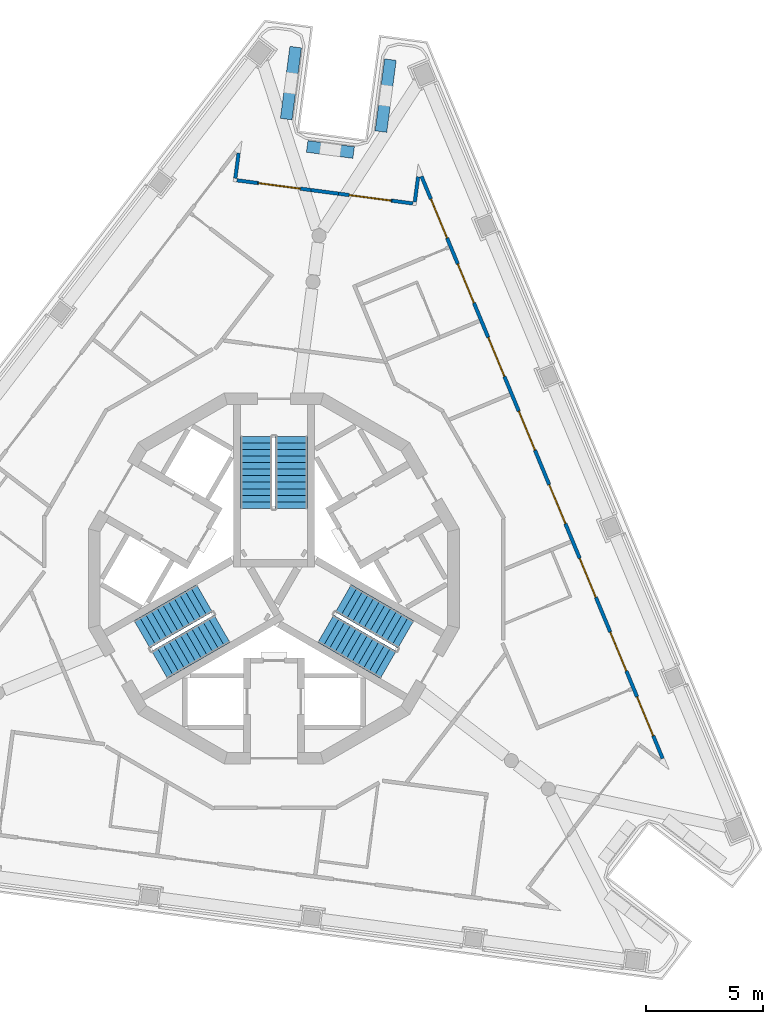
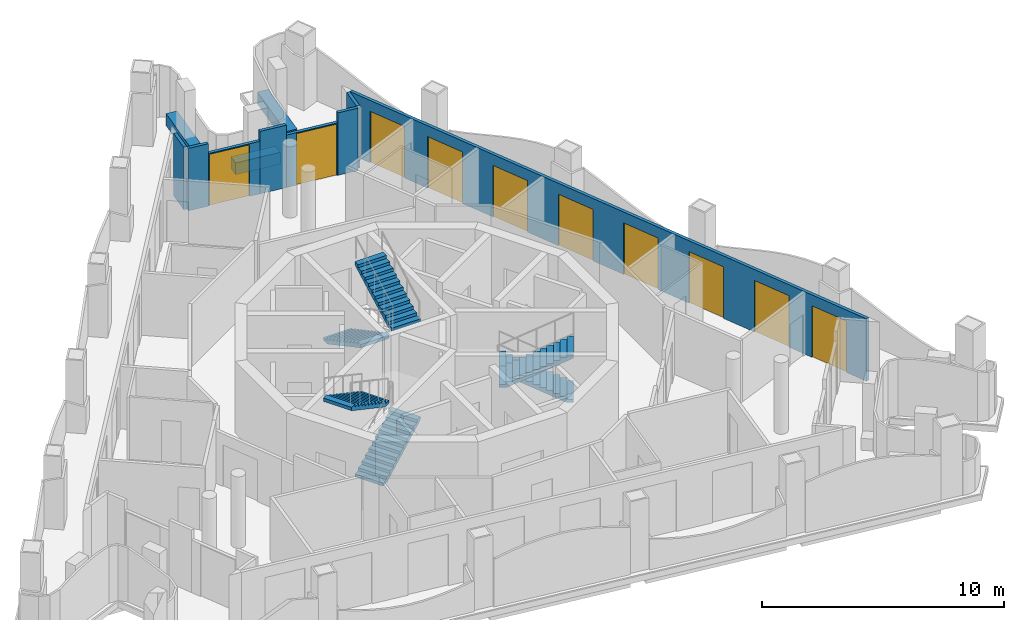
# One storey, part 6 of 12: 11 walls, 10 doors, 6 stair flights, 10 openings, 3 elements without a shape of their own.
"""IFC4 building model written with IfcOpenShell, lengths in metres."""

from ifc_helpers import new_model, si_unit, direction, frame, frame_2d, origin, place, context, subcontext, project, spatial, polyline, rectangle, outline, extrude, material, layer, layer_set, type_object, element, fill, aggregate, save


model = new_model("IFC4")

# Units and contexts
model_context = context("Model", 3, precision=1e-05, world=origin(), true_north=direction((0.0, 1.0)))
body_context = subcontext(model_context, "Body", "Model", "MODEL_VIEW")
ifc_project = project(units=[si_unit("LENGTHUNIT", "METRE"), si_unit("AREAUNIT", "SQUARE_METRE"), si_unit("VOLUMEUNIT", "CUBIC_METRE"), si_unit("PLANEANGLEUNIT", "RADIAN"), si_unit("MASSUNIT", "GRAM", prefix="KILO")], contexts=[model_context])

# Site, building, storey
site_placement = place(None, origin())
site = spatial("IfcSite", under=ifc_project, at=site_placement, CompositionType="ELEMENT")
building_placement = place(site_placement, origin())
building = spatial("IfcBuilding", under=site, at=building_placement, Name="Trine Commons Tower", CompositionType="ELEMENT")
storey_placement = place(building_placement, frame((0.0, 0.0, 297.0)))
storey = spatial("IfcBuildingStorey", under=building, at=storey_placement, Name="L78", CompositionType="ELEMENT", Elevation=297.0)

# Walls
ifc_material_1 = material(Name="Aluminium-framed insulated wall panel", Category="aluminium")
ifc_layer_1 = layer(ifc_material_1, 0.14990234375)
ifc_layer_set_1 = layer_set([ifc_layer_1], Name="Aluminium-framed insulated wall panel")
wall_type_1 = type_object("IfcWallType", Name="Glazed frame wall 150, EI 60", PredefinedType="SOLIDWALL", material=ifc_layer_set_1)
wall_1_placement = place(storey_placement, frame((78.51220703125, 80.81005859375, 0.0), z_axis=(0.0, 0.0, 1.0), x_axis=(-0.130510858064, -0.991446880033, 0.0)))
element("IfcWall", 1, at=wall_1_placement, inside=storey, type_object=wall_type_1, Name="Glazed frame wall R2", PredefinedType="SOLIDWALL", context=body_context, shape_type="SweptSolid", body=[
    extrude(outline(polyline([(0.1494140625, 0.074951171875), (0.1494140625, -0.074951171875), (1.235107421875, -0.074951171875), (1.235107421875, 0.074951171875), (0.1494140625, 0.074951171875)])), origin(), (0.0, 0.0, 1.0), 3.14990234375),
])
wall_2_placement = place(storey_placement, frame((78.306396484375, 79.515869140625, 0.0), z_axis=(0.0, 0.0, 1.0), x_axis=(0.991437672373, -0.130580786489, 0.0)))
element("IfcWall", 2, at=wall_2_placement, inside=storey, type_object=wall_type_1, Name="Glazed frame wall P1.1", PredefinedType="SOLIDWALL", context=body_context, shape_type="SweptSolid", body=[
    extrude(outline(polyline([(0.110107421875, -0.074951171875), (1.0, -0.074951171875), (1.0, 0.074951171875), (0.110107421875, 0.074951171875), (0.110107421875, -0.074951171875)])), origin(), (0.0, 0.0, 1.0), 3.14990234375),
])

# Wall, opening, door
wall_3_placement = place(storey_placement, frame((79.298095703125, 79.38525390625, 0.0), z_axis=(0.0, 0.0, 1.0), x_axis=(0.991435223914, -0.130599375121, 0.0)))
wall_3 = element("IfcWall", 3, at=wall_3_placement, inside=storey, type_object=wall_type_1, Name="Glazed frame wall P1.2", PredefinedType="SOLIDWALL", context=body_context, shape_type="SweptSolid", body=[
    extrude(outline(polyline([(0.0, -0.074951171875), (2.310791015625, -0.074951171875), (2.310791015625, 0.074951171875), (0.0, 0.074951171875), (0.0, -0.074951171875)])), origin(), (0.0, 0.0, 1.0), 2.64990234375),
])
opening_1_placement = place(wall_3_placement, frame((0.050048828125, 0.0, 0.0)))
opening_1 = element("IfcOpeningElement", 4, at=opening_1_placement, cuts=wall_3, Name="Opening BD-8P1-01", PredefinedType="OPENING", context=body_context, shape_type="SweptSolid", body=[
    extrude(rectangle(XDim=1.800048828125, YDim=2.60009765625, at=frame_2d((0.89990234375, 1.300048828125))), frame((0.0, 0.0849609375, 0.0), z_axis=(0.0, -1.0, 0.0), x_axis=(1.0, 0.0, 0.0)), (0.0, 0.0, 1.0), 0.169921875),
])
ifc_material_2 = material(Name="Anodised aluminium frame with double glazing", Category="aluminium")
door_type = type_object("IfcDoorType", Name="Sliding loggia door 1800x2600", OperationType="SLIDING_TO_LEFT", PredefinedType="DOOR", material=ifc_material_2)
door_1_placement = place(opening_1_placement, origin())
door_1 = element("IfcDoor", 5, at=door_1_placement, inside=storey, type_object=door_type, Name="Loggia door P1 1", OperationType="SLIDING_TO_LEFT", OverallHeight=2.60009765625, OverallWidth=1.800048828125, PredefinedType="DOOR", context=body_context, shape_type="SweptSolid", body=[
    extrude(rectangle(XDim=1.800048828125, YDim=2.60009765625, at=frame_2d((0.89990234375, 1.300048828125))), frame((0.0, 0.02490234375, 0.0), z_axis=(0.0, -1.0, 0.0), x_axis=(1.0, 0.0, 0.0)), (0.0, 0.0, 1.0), 0.050048828125),
])
fill(opening_1, door_1)

# Wall
wall_4_placement = place(storey_placement, frame((81.5888671875, 79.08349609375, 0.0), z_axis=(0.0, 0.0, 1.0), x_axis=(0.991447243185, -0.130508099291, 0.0)))
element("IfcWall", 6, at=wall_4_placement, inside=storey, type_object=wall_type_1, Name="Glazed frame wall P1.3", PredefinedType="SOLIDWALL", context=body_context, shape_type="SweptSolid", body=[
    extrude(outline(polyline([(0.0, -0.074951171875), (1.1787109375, -0.074951171875), (1.1787109375, 0.074951171875), (0.0, 0.074951171875), (0.0, -0.074951171875)])), origin(), (0.0, 0.0, 1.0), 3.14990234375),
])

# Wall, opening, door
wall_5_placement = place(storey_placement, frame((82.75732421875, 78.9296875, 0.0), z_axis=(0.0, 0.0, 1.0), x_axis=(0.991450699069, -0.130481842855, 0.0)))
wall_5 = element("IfcWall", 7, at=wall_5_placement, inside=storey, type_object=wall_type_1, Name="Glazed frame wall P1.4", PredefinedType="SOLIDWALL", context=body_context, shape_type="SweptSolid", body=[
    extrude(outline(polyline([(0.0, -0.074951171875), (2.310791015625, -0.074951171875), (2.310791015625, 0.074951171875), (0.0, 0.074951171875), (0.0, -0.074951171875)])), origin(), (0.0, 0.0, 1.0), 2.64990234375),
])
opening_2_placement = place(wall_5_placement, frame((0.460693359375, 0.0, 0.0)))
opening_2 = element("IfcOpeningElement", 8, at=opening_2_placement, cuts=wall_5, Name="Opening BD-8P1-02", PredefinedType="OPENING", context=body_context, shape_type="SweptSolid", body=[
    extrude(rectangle(XDim=1.800048828125, YDim=2.60009765625, at=frame_2d((0.89990234375, 1.300048828125))), frame((0.0, 0.0849609375, 0.0), z_axis=(0.0, -1.0, 0.0), x_axis=(1.0, 0.0, 0.0)), (0.0, 0.0, 1.0), 0.169921875),
])
door_2_placement = place(opening_2_placement, origin())
door_2 = element("IfcDoor", 9, at=door_2_placement, inside=storey, type_object=door_type, Name="Loggia door P1 2", OperationType="SLIDING_TO_LEFT", OverallHeight=2.60009765625, OverallWidth=1.800048828125, PredefinedType="DOOR", context=body_context, shape_type="SweptSolid", body=[
    extrude(rectangle(XDim=1.800048828125, YDim=2.60009765625, at=frame_2d((0.89990234375, 1.300048828125))), frame((0.0, 0.02490234375, 0.0), z_axis=(0.0, -1.0, 0.0), x_axis=(1.0, 0.0, 0.0)), (0.0, 0.0, 1.0), 0.050048828125),
])
fill(opening_2, door_2)

# Walls
wall_6_placement = place(storey_placement, frame((85.04833984375, 78.628173828125, 0.0), z_axis=(0.0, 0.0, 1.0), x_axis=(0.991465094935, -0.130372410907, 0.0)))
element("IfcWall", 10, at=wall_6_placement, inside=storey, type_object=wall_type_1, Name="Glazed frame wall P1.5", PredefinedType="SOLIDWALL", context=body_context, shape_type="SweptSolid", body=[
    extrude(outline(polyline([(0.889892578125, 0.074951171875), (0.0, 0.074951171875), (0.0, -0.074951171875), (0.889892578125, -0.074951171875), (0.889892578125, 0.074951171875)])), origin(), (0.0, 0.0, 1.0), 3.14990234375),
])
wall_7_placement = place(storey_placement, frame((86.00048828125, 78.467529296875, 0.0), z_axis=(0.0, 0.0, 1.0), x_axis=(0.130510858064, 0.991446880033, 0.0)))
element("IfcWall", 11, at=wall_7_placement, inside=storey, type_object=wall_type_1, Name="Glazed frame wall R4", PredefinedType="SOLIDWALL", context=body_context, shape_type="SweptSolid", body=[
    extrude(outline(polyline([(0.110107421875, 0.074951171875), (0.110107421875, -0.074951171875), (1.19580078125, -0.074951171875), (1.19580078125, 0.074951171875), (0.110107421875, 0.074951171875)])), origin(), (0.0, 0.0, 1.0), 3.14990234375),
])

# Wall, openings, doors
wall_8_placement = place(storey_placement, frame((86.2431640625, 79.809814453125, 0.0), z_axis=(0.0, 0.0, 1.0), x_axis=(0.382683868189, -0.923879351987, 0.0)))
wall_8 = element("IfcWall", 12, at=wall_8_placement, inside=storey, type_object=wall_type_1, Name="Glazed frame wall F2", PredefinedType="SOLIDWALL", context=body_context, shape_type="SweptSolid", body=[
    extrude(outline(polyline([(0.1494140625, 0.074951171875), (0.1494140625, -0.074951171875), (27.056884765625, -0.074951171875), (27.056884765625, 0.074951171875), (0.1494140625, 0.074951171875)])), origin(), (0.0, 0.0, 1.0), 3.14990234375),
])
opening_3_placement = place(wall_8_placement, frame((1.200439453125, 0.0, 0.0)))
opening_3 = element("IfcOpeningElement", 13, at=opening_3_placement, cuts=wall_8, Name="Opening BD-8F2-01", PredefinedType="OPENING", context=body_context, shape_type="SweptSolid", body=[
    extrude(rectangle(XDim=1.800048828125, YDim=2.60009765625, at=frame_2d((0.89990234375, 1.300048828125))), frame((0.0, 0.0849609375, 0.0), z_axis=(0.0, -1.0, 0.0), x_axis=(1.0, 0.0, 0.0)), (0.0, 0.0, 1.0), 0.169921875),
])
opening_4_placement = place(wall_8_placement, frame((4.201171875, 0.0, 0.0)))
opening_4 = element("IfcOpeningElement", 14, at=opening_4_placement, cuts=wall_8, Name="Opening BD-8F2-02", PredefinedType="OPENING", context=body_context, shape_type="SweptSolid", body=[
    extrude(rectangle(XDim=1.800048828125, YDim=2.60009765625, at=frame_2d((0.89990234375, 1.300048828125))), frame((0.0, 0.0849609375, 0.0), z_axis=(0.0, -1.0, 0.0), x_axis=(1.0, 0.0, 0.0)), (0.0, 0.0, 1.0), 0.169921875),
])
opening_5_placement = place(wall_8_placement, frame((7.60205078125, 0.0, 0.0)))
opening_5 = element("IfcOpeningElement", 15, at=opening_5_placement, cuts=wall_8, Name="Opening BD-8F2-03", PredefinedType="OPENING", context=body_context, shape_type="SweptSolid", body=[
    extrude(rectangle(XDim=1.800048828125, YDim=2.60009765625, at=frame_2d((0.89990234375, 1.300048828125))), frame((0.0, 0.0849609375, 0.0), z_axis=(0.0, -1.0, 0.0), x_axis=(1.0, 0.0, 0.0)), (0.0, 0.0, 1.0), 0.169921875),
])
opening_6_placement = place(wall_8_placement, frame((11.002685546875, 0.0, 0.0)))
opening_6 = element("IfcOpeningElement", 16, at=opening_6_placement, cuts=wall_8, Name="Opening BD-8F2-04", PredefinedType="OPENING", context=body_context, shape_type="SweptSolid", body=[
    extrude(rectangle(XDim=1.800048828125, YDim=2.60009765625, at=frame_2d((0.89990234375, 1.300048828125))), frame((0.0, 0.0849609375, 0.0), z_axis=(0.0, -1.0, 0.0), x_axis=(1.0, 0.0, 0.0)), (0.0, 0.0, 1.0), 0.169921875),
])
opening_7_placement = place(wall_8_placement, frame((14.403564453125, 0.0, 0.0)))
opening_7 = element("IfcOpeningElement", 17, at=opening_7_placement, cuts=wall_8, Name="Opening BD-8F2-05", PredefinedType="OPENING", context=body_context, shape_type="SweptSolid", body=[
    extrude(rectangle(XDim=1.800048828125, YDim=2.60009765625, at=frame_2d((0.89990234375, 1.300048828125))), frame((0.0, 0.0849609375, 0.0), z_axis=(0.0, -1.0, 0.0), x_axis=(1.0, 0.0, 0.0)), (0.0, 0.0, 1.0), 0.169921875),
])
opening_8_placement = place(wall_8_placement, frame((17.804443359375, 0.0, 0.0)))
opening_8 = element("IfcOpeningElement", 18, at=opening_8_placement, cuts=wall_8, Name="Opening BD-8F2-06", PredefinedType="OPENING", context=body_context, shape_type="SweptSolid", body=[
    extrude(rectangle(XDim=1.800048828125, YDim=2.60009765625, at=frame_2d((0.89990234375, 1.300048828125))), frame((0.0, 0.0849609375, 0.0), z_axis=(0.0, -1.0, 0.0), x_axis=(1.0, 0.0, 0.0)), (0.0, 0.0, 1.0), 0.169921875),
])
opening_9_placement = place(wall_8_placement, frame((21.205078125, 0.0, 0.0)))
opening_9 = element("IfcOpeningElement", 19, at=opening_9_placement, cuts=wall_8, Name="Opening BD-8F2-07", PredefinedType="OPENING", context=body_context, shape_type="SweptSolid", body=[
    extrude(rectangle(XDim=1.800048828125, YDim=2.60009765625, at=frame_2d((0.89990234375, 1.300048828125))), frame((0.0, 0.0849609375, 0.0), z_axis=(0.0, -1.0, 0.0), x_axis=(1.0, 0.0, 0.0)), (0.0, 0.0, 1.0), 0.169921875),
])
opening_10_placement = place(wall_8_placement, frame((24.2060546875, 0.0, 0.0)))
opening_10 = element("IfcOpeningElement", 20, at=opening_10_placement, cuts=wall_8, Name="Opening BD-8F2-08", PredefinedType="OPENING", context=body_context, shape_type="SweptSolid", body=[
    extrude(rectangle(XDim=1.800048828125, YDim=2.60009765625, at=frame_2d((0.89990234375, 1.300048828125))), frame((0.0, 0.0849609375, 0.0), z_axis=(0.0, -1.0, 0.0), x_axis=(1.0, 0.0, 0.0)), (0.0, 0.0, 1.0), 0.169921875),
])
door_3_placement = place(opening_3_placement, origin())
door_3 = element("IfcDoor", 21, at=door_3_placement, inside=storey, type_object=door_type, Name="Loggia door F2 1", OperationType="SLIDING_TO_LEFT", OverallHeight=2.60009765625, OverallWidth=1.800048828125, PredefinedType="DOOR", context=body_context, shape_type="SweptSolid", body=[
    extrude(rectangle(XDim=1.800048828125, YDim=2.60009765625, at=frame_2d((0.89990234375, 1.300048828125))), frame((0.0, 0.02490234375, 0.0), z_axis=(0.0, -1.0, 0.0), x_axis=(1.0, 0.0, 0.0)), (0.0, 0.0, 1.0), 0.050048828125),
])
fill(opening_3, door_3)
door_4_placement = place(opening_4_placement, origin())
door_4 = element("IfcDoor", 22, at=door_4_placement, inside=storey, type_object=door_type, Name="Loggia door F2 2", OperationType="SLIDING_TO_LEFT", OverallHeight=2.60009765625, OverallWidth=1.800048828125, PredefinedType="DOOR", context=body_context, shape_type="SweptSolid", body=[
    extrude(rectangle(XDim=1.800048828125, YDim=2.60009765625, at=frame_2d((0.89990234375, 1.300048828125))), frame((0.0, 0.02490234375, 0.0), z_axis=(0.0, -1.0, 0.0), x_axis=(1.0, 0.0, 0.0)), (0.0, 0.0, 1.0), 0.050048828125),
])
fill(opening_4, door_4)
door_5_placement = place(opening_5_placement, origin())
door_5 = element("IfcDoor", 23, at=door_5_placement, inside=storey, type_object=door_type, Name="Loggia door F2 3", OperationType="SLIDING_TO_LEFT", OverallHeight=2.60009765625, OverallWidth=1.800048828125, PredefinedType="DOOR", context=body_context, shape_type="SweptSolid", body=[
    extrude(rectangle(XDim=1.800048828125, YDim=2.60009765625, at=frame_2d((0.89990234375, 1.300048828125))), frame((0.0, 0.02490234375, 0.0), z_axis=(0.0, -1.0, 0.0), x_axis=(1.0, 0.0, 0.0)), (0.0, 0.0, 1.0), 0.050048828125),
])
fill(opening_5, door_5)
door_6_placement = place(opening_6_placement, origin())
door_6 = element("IfcDoor", 24, at=door_6_placement, inside=storey, type_object=door_type, Name="Loggia door F2 4", OperationType="SLIDING_TO_LEFT", OverallHeight=2.60009765625, OverallWidth=1.800048828125, PredefinedType="DOOR", context=body_context, shape_type="SweptSolid", body=[
    extrude(rectangle(XDim=1.800048828125, YDim=2.60009765625, at=frame_2d((0.89990234375, 1.300048828125))), frame((0.0, 0.02490234375, 0.0), z_axis=(0.0, -1.0, 0.0), x_axis=(1.0, 0.0, 0.0)), (0.0, 0.0, 1.0), 0.050048828125),
])
fill(opening_6, door_6)
door_7_placement = place(opening_7_placement, origin())
door_7 = element("IfcDoor", 25, at=door_7_placement, inside=storey, type_object=door_type, Name="Loggia door F2 5", OperationType="SLIDING_TO_LEFT", OverallHeight=2.60009765625, OverallWidth=1.800048828125, PredefinedType="DOOR", context=body_context, shape_type="SweptSolid", body=[
    extrude(rectangle(XDim=1.800048828125, YDim=2.60009765625, at=frame_2d((0.89990234375, 1.300048828125))), frame((0.0, 0.02490234375, 0.0), z_axis=(0.0, -1.0, 0.0), x_axis=(1.0, 0.0, 0.0)), (0.0, 0.0, 1.0), 0.050048828125),
])
fill(opening_7, door_7)
door_8_placement = place(opening_8_placement, origin())
door_8 = element("IfcDoor", 26, at=door_8_placement, inside=storey, type_object=door_type, Name="Loggia door F2 6", OperationType="SLIDING_TO_LEFT", OverallHeight=2.60009765625, OverallWidth=1.800048828125, PredefinedType="DOOR", context=body_context, shape_type="SweptSolid", body=[
    extrude(rectangle(XDim=1.800048828125, YDim=2.60009765625, at=frame_2d((0.89990234375, 1.300048828125))), frame((0.0, 0.02490234375, 0.0), z_axis=(0.0, -1.0, 0.0), x_axis=(1.0, 0.0, 0.0)), (0.0, 0.0, 1.0), 0.050048828125),
])
fill(opening_8, door_8)
door_9_placement = place(opening_9_placement, origin())
door_9 = element("IfcDoor", 27, at=door_9_placement, inside=storey, type_object=door_type, Name="Loggia door F2 7", OperationType="SLIDING_TO_LEFT", OverallHeight=2.60009765625, OverallWidth=1.800048828125, PredefinedType="DOOR", context=body_context, shape_type="SweptSolid", body=[
    extrude(rectangle(XDim=1.800048828125, YDim=2.60009765625, at=frame_2d((0.89990234375, 1.300048828125))), frame((0.0, 0.02490234375, 0.0), z_axis=(0.0, -1.0, 0.0), x_axis=(1.0, 0.0, 0.0)), (0.0, 0.0, 1.0), 0.050048828125),
])
fill(opening_9, door_9)
door_10_placement = place(opening_10_placement, origin())
door_10 = element("IfcDoor", 28, at=door_10_placement, inside=storey, type_object=door_type, Name="Loggia door F2 8", OperationType="SLIDING_TO_LEFT", OverallHeight=2.60009765625, OverallWidth=1.800048828125, PredefinedType="DOOR", context=body_context, shape_type="SweptSolid", body=[
    extrude(rectangle(XDim=1.800048828125, YDim=2.60009765625, at=frame_2d((0.89990234375, 1.300048828125))), frame((0.0, 0.02490234375, 0.0), z_axis=(0.0, -1.0, 0.0), x_axis=(1.0, 0.0, 0.0)), (0.0, 0.0, 1.0), 0.050048828125),
])
fill(opening_10, door_10)

# Walls
ifc_material_3 = material(Name="Planter trough, precast concrete C40/50", Category="concrete")
ifc_layer_2 = layer(ifc_material_3, 0.5)
ifc_layer_set_2 = layer_set([ifc_layer_2], Name="Planter trough, precast concrete C40/50")
wall_type_2 = type_object("IfcWallType", Name="Planter trough 500x600", PredefinedType="PARAPET", material=ifc_layer_set_2)
wall_9_placement = place(storey_placement, frame((80.92919921875, 85.18701171875, 0.0), z_axis=(0.0, 0.0, 1.0), x_axis=(-0.130487105691, -0.991450006429, 0.0)))
element("IfcWall", 29, at=wall_9_placement, inside=storey, type_object=wall_type_2, Name="Planter 4", PredefinedType="PARAPET", context=body_context, shape_type="SweptSolid", body=[
    extrude(rectangle(XDim=3.100341796875, YDim=0.5, at=frame_2d((1.55029296875, 0.0))), origin(), (0.0, 0.0, 1.0), 0.60009765625),
])
wall_10_placement = place(storey_placement, frame((81.419921875, 80.94677734375, 0.0), z_axis=(0.0, 0.0, 1.0), x_axis=(0.991433509034, -0.130612392842, 0.0)))
element("IfcWall", 30, at=wall_10_placement, inside=storey, type_object=wall_type_2, Name="Planter 5", PredefinedType="PARAPET", context=body_context, shape_type="SweptSolid", body=[
    extrude(rectangle(XDim=2.0, YDim=0.5, at=frame_2d((1.0, 0.0))), origin(), (0.0, 0.0, 1.0), 0.60009765625),
])
wall_11_placement = place(storey_placement, frame((84.569580078125, 81.5810546875, 0.0), z_axis=(0.0, 0.0, 1.0), x_axis=(0.130507484591, 0.9914473241, 0.0)))
element("IfcWall", 31, at=wall_11_placement, inside=storey, type_object=wall_type_2, Name="Planter 6", PredefinedType="PARAPET", context=body_context, shape_type="SweptSolid", body=[
    extrude(rectangle(XDim=3.099853515625, YDim=0.5, at=frame_2d((1.5498046875, 0.0))), origin(), (0.0, 0.0, 1.0), 0.60009765625),
])

# Stair, stair flights
ifc_material_4 = material(Name="Concrete C50/60", Category="concrete")
stair_type = type_object("IfcStairType", Name="Exit stair, dog-leg, 24 risers of 150 mm", PredefinedType="HALF_TURN_STAIR", material=ifc_material_4)
stair_1_placement = place(storey_placement, origin())
stair_1 = element("IfcStair", 32, at=stair_1_placement, inside=storey, type_object=stair_type, Name="L78 Exit stair ST1D", PredefinedType="HALF_TURN_STAIR")
stair_flight_type = type_object("IfcStairFlightType", Name="Stair flight, 1350 wide, 12 risers of 150 mm", PredefinedType="STRAIGHT", material=ifc_material_4)
stair_flight_1_placement = place(storey_placement, frame((79.25, 68.570556640625, 0.0), z_axis=(0.0, 0.0, 1.0), x_axis=(0.0, -1.0, 0.0)))
stair_flight_1 = element("IfcStairFlight", 33, at=stair_flight_1_placement, type_object=stair_flight_type, Name="ST1D flight 1", NumberOfRisers=12, NumberOfTreads=11, PredefinedType="STRAIGHT", RiserHeight=0.15, TreadLength=0.28, context=body_context, shape_type="SweptSolid", body=[
    extrude(outline(polyline([(0.0, 0.0), (0.0, 0.14990234375), (0.280029296875, 0.14990234375), (0.280029296875, 0.300048828125), (0.56005859375, 0.300048828125), (0.56005859375, 0.449951171875), (0.840087890625, 0.449951171875), (0.840087890625, 0.60009765625), (1.1201171875, 0.60009765625), (1.1201171875, 0.75), (1.39990234375, 0.75), (1.39990234375, 0.89990234375), (1.679931640625, 0.89990234375), (1.679931640625, 1.050048828125), (1.9599609375, 1.050048828125), (1.9599609375, 1.199951171875), (2.239990234375, 1.199951171875), (2.239990234375, 1.35009765625), (2.52001953125, 1.35009765625), (2.52001953125, 1.5), (2.800048828125, 1.5), (2.800048828125, 1.64990234375), (3.080078125, 1.64990234375), (3.080078125, 1.800048828125), (3.080078125, 1.47998046875), (0.3173828125, 0.0), (0.0, 0.0)])), frame((0.0, 0.675048828125, 0.0), z_axis=(0.0, -1.0, 0.0), x_axis=(1.0, 0.0, 0.0)), (0.0, 0.0, 1.0), 1.35009765625),
])
stair_flight_2_placement = place(storey_placement, frame((80.75, 65.490478515625, 1.800048828125), z_axis=(0.0, 0.0, 1.0), x_axis=(0.0, 1.0, 0.0)))
stair_flight_2 = element("IfcStairFlight", 34, at=stair_flight_2_placement, type_object=stair_flight_type, Name="ST1D flight 2", NumberOfRisers=12, NumberOfTreads=11, PredefinedType="STRAIGHT", RiserHeight=0.15, TreadLength=0.28, context=body_context, shape_type="SweptSolid", body=[
    extrude(outline(polyline([(0.0, 0.0), (0.0, 0.14990234375), (0.280029296875, 0.14990234375), (0.280029296875, 0.300048828125), (0.56005859375, 0.300048828125), (0.56005859375, 0.449951171875), (0.840087890625, 0.449951171875), (0.840087890625, 0.60009765625), (1.1201171875, 0.60009765625), (1.1201171875, 0.75), (1.39990234375, 0.75), (1.39990234375, 0.89990234375), (1.679931640625, 0.89990234375), (1.679931640625, 1.050048828125), (1.9599609375, 1.050048828125), (1.9599609375, 1.199951171875), (2.239990234375, 1.199951171875), (2.239990234375, 1.35009765625), (2.52001953125, 1.35009765625), (2.52001953125, 1.5), (2.800048828125, 1.5), (2.800048828125, 1.64990234375), (3.080078125, 1.64990234375), (3.080078125, 1.800048828125), (3.080078125, 1.47998046875), (0.3173828125, 0.0), (0.0, 0.0)])), frame((0.0, 0.675048828125, 0.0), z_axis=(0.0, -1.0, 0.0), x_axis=(1.0, 0.0, 0.0)), (0.0, 0.0, 1.0), 1.35009765625),
])
aggregate(stair_1, [stair_flight_1, stair_flight_2])

stair_2_placement = place(storey_placement, origin())
stair_2 = element("IfcStair", 35, at=stair_2_placement, inside=storey, type_object=stair_type, Name="L78 Exit stair ST2D", PredefinedType="HALF_TURN_STAIR")
stair_flight_3_placement = place(storey_placement, frame((75.11767578125, 58.815185546875, 0.0), z_axis=(0.0, 0.0, 1.0), x_axis=(0.866025403784, 0.5, 0.0)))
stair_flight_3 = element("IfcStairFlight", 36, at=stair_flight_3_placement, type_object=stair_flight_type, Name="ST2D flight 1", NumberOfRisers=12, NumberOfTreads=11, PredefinedType="STRAIGHT", RiserHeight=0.15, TreadLength=0.28, context=body_context, shape_type="SweptSolid", body=[
    extrude(outline(polyline([(0.0, 0.0), (0.0, 0.14990234375), (0.280029296875, 0.14990234375), (0.280029296875, 0.300048828125), (0.56005859375, 0.300048828125), (0.56005859375, 0.449951171875), (0.840087890625, 0.449951171875), (0.840087890625, 0.60009765625), (1.1201171875, 0.60009765625), (1.1201171875, 0.75), (1.39990234375, 0.75), (1.39990234375, 0.89990234375), (1.679931640625, 0.89990234375), (1.679931640625, 1.050048828125), (1.9599609375, 1.050048828125), (1.9599609375, 1.199951171875), (2.239990234375, 1.199951171875), (2.239990234375, 1.35009765625), (2.52001953125, 1.35009765625), (2.52001953125, 1.5), (2.800048828125, 1.5), (2.800048828125, 1.64990234375), (3.080078125, 1.64990234375), (3.080078125, 1.800048828125), (3.080078125, 1.47998046875), (0.3173828125, 0.0), (0.0, 0.0)])), frame((0.0, 0.675048828125, 0.0), z_axis=(0.0, -1.0, 0.0), x_axis=(1.0, 0.0, 0.0)), (0.0, 0.0, 1.0), 1.35009765625),
])
stair_flight_4_placement = place(storey_placement, frame((77.03515625, 61.654296875, 1.800048828125), z_axis=(0.0, 0.0, 1.0), x_axis=(-0.866025403784, -0.5, 0.0)))
stair_flight_4 = element("IfcStairFlight", 37, at=stair_flight_4_placement, type_object=stair_flight_type, Name="ST2D flight 2", NumberOfRisers=12, NumberOfTreads=11, PredefinedType="STRAIGHT", RiserHeight=0.15, TreadLength=0.28, context=body_context, shape_type="SweptSolid", body=[
    extrude(outline(polyline([(0.0, 0.0), (0.0, 0.14990234375), (0.280029296875, 0.14990234375), (0.280029296875, 0.300048828125), (0.56005859375, 0.300048828125), (0.56005859375, 0.449951171875), (0.840087890625, 0.449951171875), (0.840087890625, 0.60009765625), (1.1201171875, 0.60009765625), (1.1201171875, 0.75), (1.39990234375, 0.75), (1.39990234375, 0.89990234375), (1.679931640625, 0.89990234375), (1.679931640625, 1.050048828125), (1.9599609375, 1.050048828125), (1.9599609375, 1.199951171875), (2.239990234375, 1.199951171875), (2.239990234375, 1.35009765625), (2.52001953125, 1.35009765625), (2.52001953125, 1.5), (2.800048828125, 1.5), (2.800048828125, 1.64990234375), (3.080078125, 1.64990234375), (3.080078125, 1.800048828125), (3.080078125, 1.47998046875), (0.3173828125, 0.0), (0.0, 0.0)])), frame((0.0, 0.675048828125, 0.0), z_axis=(0.0, -1.0, 0.0), x_axis=(1.0, 0.0, 0.0)), (0.0, 0.0, 1.0), 1.35009765625),
])
aggregate(stair_2, [stair_flight_3, stair_flight_4])

stair_3_placement = place(storey_placement, origin())
stair_3 = element("IfcStair", 38, at=stair_3_placement, inside=storey, type_object=stair_type, Name="L78 Exit stair ST3D", PredefinedType="HALF_TURN_STAIR")
stair_flight_5_placement = place(storey_placement, frame((85.63232421875, 60.1142578125, 0.0), z_axis=(0.0, 0.0, 1.0), x_axis=(-0.866025403784, 0.5, 0.0)))
stair_flight_5 = element("IfcStairFlight", 39, at=stair_flight_5_placement, type_object=stair_flight_type, Name="ST3D flight 1", NumberOfRisers=12, NumberOfTreads=11, PredefinedType="STRAIGHT", RiserHeight=0.15, TreadLength=0.28, context=body_context, shape_type="SweptSolid", body=[
    extrude(outline(polyline([(0.0, 0.0), (0.0, 0.14990234375), (0.280029296875, 0.14990234375), (0.280029296875, 0.300048828125), (0.56005859375, 0.300048828125), (0.56005859375, 0.449951171875), (0.840087890625, 0.449951171875), (0.840087890625, 0.60009765625), (1.1201171875, 0.60009765625), (1.1201171875, 0.75), (1.39990234375, 0.75), (1.39990234375, 0.89990234375), (1.679931640625, 0.89990234375), (1.679931640625, 1.050048828125), (1.9599609375, 1.050048828125), (1.9599609375, 1.199951171875), (2.239990234375, 1.199951171875), (2.239990234375, 1.35009765625), (2.52001953125, 1.35009765625), (2.52001953125, 1.5), (2.800048828125, 1.5), (2.800048828125, 1.64990234375), (3.080078125, 1.64990234375), (3.080078125, 1.800048828125), (3.080078125, 1.47998046875), (0.3173828125, 0.0), (0.0, 0.0)])), frame((0.0, 0.675048828125, 0.0), z_axis=(0.0, -1.0, 0.0), x_axis=(1.0, 0.0, 0.0)), (0.0, 0.0, 1.0), 1.35009765625),
])
stair_flight_6_placement = place(storey_placement, frame((82.21484375, 60.355224609375, 1.800048828125), z_axis=(0.0, 0.0, 1.0), x_axis=(0.866025403784, -0.5, 0.0)))
stair_flight_6 = element("IfcStairFlight", 40, at=stair_flight_6_placement, type_object=stair_flight_type, Name="ST3D flight 2", NumberOfRisers=12, NumberOfTreads=11, PredefinedType="STRAIGHT", RiserHeight=0.15, TreadLength=0.28, context=body_context, shape_type="SweptSolid", body=[
    extrude(outline(polyline([(0.0, 0.0), (0.0, 0.14990234375), (0.280029296875, 0.14990234375), (0.280029296875, 0.300048828125), (0.56005859375, 0.300048828125), (0.56005859375, 0.449951171875), (0.840087890625, 0.449951171875), (0.840087890625, 0.60009765625), (1.1201171875, 0.60009765625), (1.1201171875, 0.75), (1.39990234375, 0.75), (1.39990234375, 0.89990234375), (1.679931640625, 0.89990234375), (1.679931640625, 1.050048828125), (1.9599609375, 1.050048828125), (1.9599609375, 1.199951171875), (2.239990234375, 1.199951171875), (2.239990234375, 1.35009765625), (2.52001953125, 1.35009765625), (2.52001953125, 1.5), (2.800048828125, 1.5), (2.800048828125, 1.64990234375), (3.080078125, 1.64990234375), (3.080078125, 1.800048828125), (3.080078125, 1.47998046875), (0.3173828125, 0.0), (0.0, 0.0)])), frame((0.0, 0.675048828125, 0.0), z_axis=(0.0, -1.0, 0.0), x_axis=(1.0, 0.0, 0.0)), (0.0, 0.0, 1.0), 1.35009765625),
])
aggregate(stair_3, [stair_flight_5, stair_flight_6])

save(model, "model.ifc")
